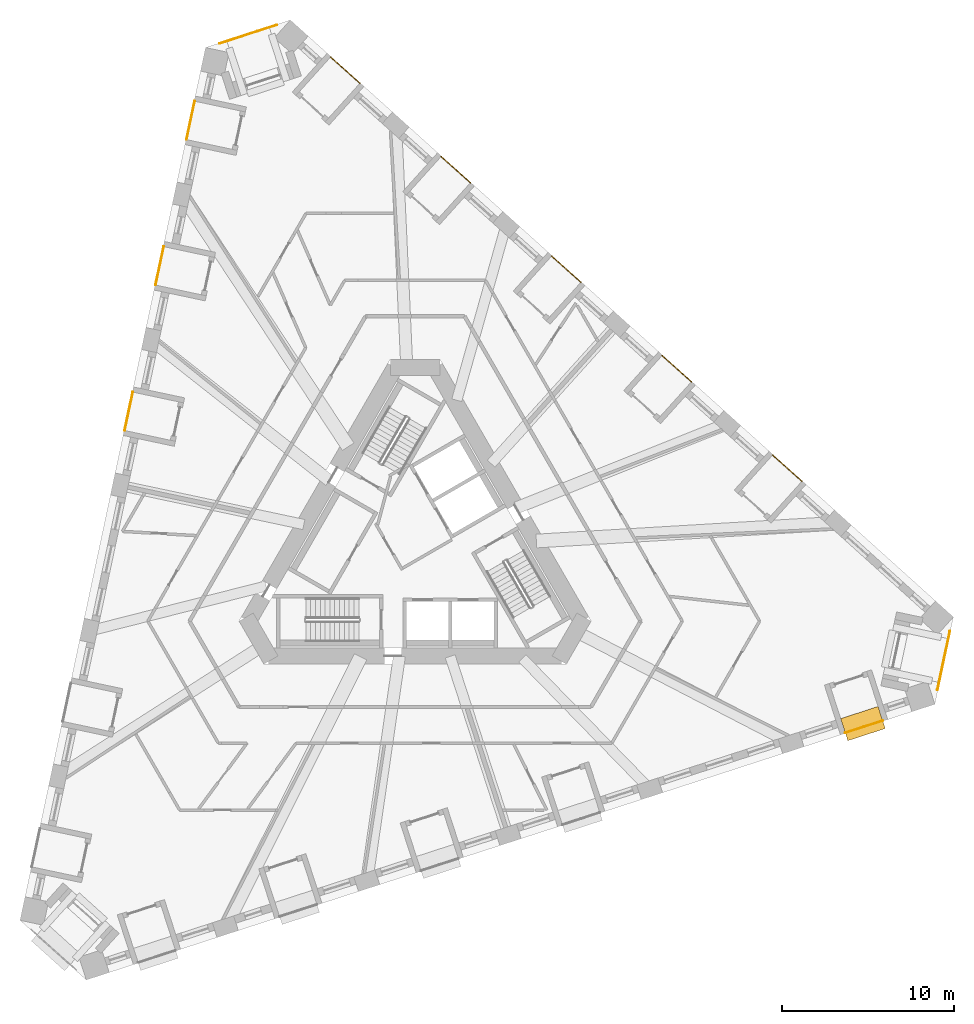
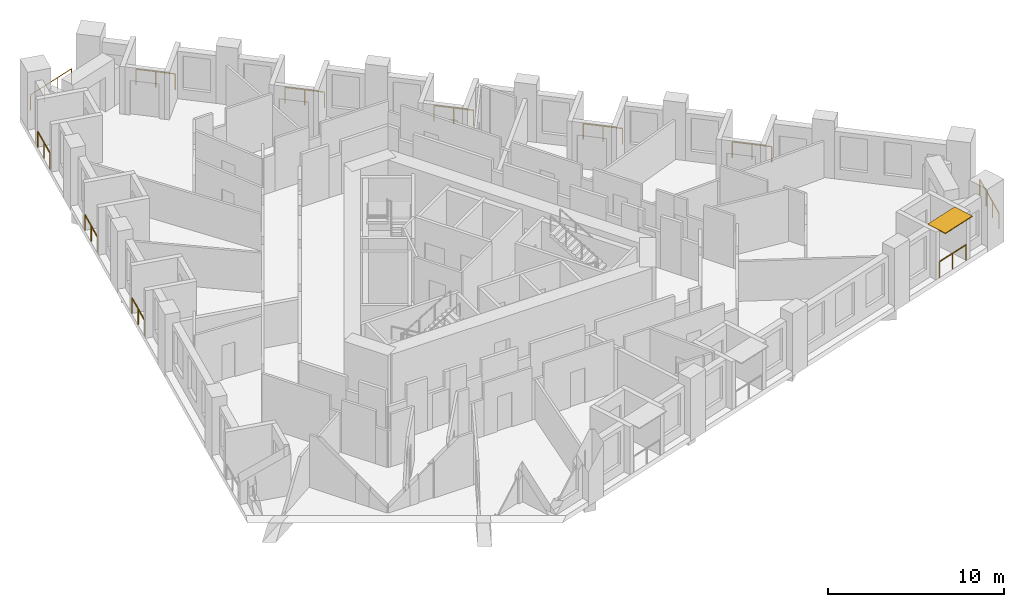
# One storey, part 12 of 12: 11 railings, 1 shading device.
"""IFC4 building model written with IfcOpenShell, lengths in metres."""

from ifc_helpers import new_model, si_unit, direction, frame, origin, origin_2d, place, context, subcontext, project, spatial, rectangle, circle, extrude, material, layer, layer_set, type_object, element, save


model = new_model("IFC4")

# Units and contexts
model_context = context("Model", 3, precision=1e-05, world=origin(), true_north=direction((0.0, 1.0)))
body_context = subcontext(model_context, "Body", "Model", "MODEL_VIEW")
ifc_project = project(units=[si_unit("LENGTHUNIT", "METRE"), si_unit("AREAUNIT", "SQUARE_METRE"), si_unit("VOLUMEUNIT", "CUBIC_METRE"), si_unit("PLANEANGLEUNIT", "RADIAN"), si_unit("MASSUNIT", "GRAM", prefix="KILO")], contexts=[model_context])

# Site, building, storey
site_placement = place(None, origin())
site = spatial("IfcSite", under=ifc_project, at=site_placement, CompositionType="ELEMENT")
building_placement = place(site_placement, origin())
building = spatial("IfcBuilding", under=site, at=building_placement, Name="Tramontana Tower", CompositionType="ELEMENT")
storey_placement = place(building_placement, frame((0.0, 0.0, 88.39990234375)))
storey = spatial("IfcBuildingStorey", under=building, at=storey_placement, Name="L19", CompositionType="ELEMENT", Elevation=88.39990234375)

# Railings
ifc_material_1 = material(Name="Laminated glass balustrade", Category="glass")
railing_type = type_object("IfcRailingType", Name="GD1 Loggia glass balustrade 1100", PredefinedType="BALUSTRADE", material=ifc_material_1)
railing_1_placement = place(storey_placement, frame((-12.838134765625, 26.031982421875, 0.0)))
element("IfcRailing", 1, at=railing_1_placement, inside=storey, type_object=railing_type, Name="Loggia balustrade L19 G2S0.1", PredefinedType="BALUSTRADE", context=body_context, shape_type="SweptSolid", body=[
    extrude(circle(Radius=0.02392578125, at=origin_2d()), frame((0.0, 0.0, 1.076171875), z_axis=(-0.207990282514, -0.978130892253, 0.0), x_axis=(0.978130892253, -0.207990282514, 0.0)), (0.0, 0.0, 1.0), 2.28662109375),
    extrude(circle(Radius=0.02099609375, at=origin_2d()), origin(), (0.0, 0.0, 1.0), 1.052001953125),
    extrude(circle(Radius=0.02099609375, at=origin_2d()), frame((-0.23779296875, -1.1181640625, 0.0)), (0.0, 0.0, 1.0), 1.052001953125),
    extrude(circle(Radius=0.02099609375, at=origin_2d()), frame((-0.4755859375, -2.236572265625, 0.0)), (0.0, 0.0, 1.0), 1.052001953125),
])
for number, where, name in (
    (2, (-14.638671875, 17.56103515625, 0.0), "Loggia balustrade L19 G2S0.4"),
    (3, (-16.439208984375, 9.090087890625, 0.0), "Loggia balustrade L19 G2S0.7"),
):
    element("IfcRailing", number, at=place(storey_placement, frame(where)), inside=storey, type_object=railing_type, Name=name, PredefinedType="BALUSTRADE", context=body_context, shape_type="SweptSolid", body=[
        extrude(circle(Radius=0.02392578125, at=origin_2d()), frame((0.0, 0.0, 1.076171875), z_axis=(-0.207968563016, -0.978135510447, 0.0), x_axis=(0.978135510447, -0.207968563016, 0.0)), (0.0, 0.0, 1.0), 2.286865234375),
        extrude(circle(Radius=0.02099609375, at=origin_2d()), origin(), (0.0, 0.0, 1.0), 1.052001953125),
        extrude(circle(Radius=0.02099609375, at=origin_2d()), frame((-0.23779296875, -1.118408203125, 0.0)), (0.0, 0.0, 1.0), 1.052001953125),
        extrude(circle(Radius=0.02099609375, at=origin_2d()), frame((-0.4755859375, -2.23681640625, 0.0)), (0.0, 0.0, 1.0), 1.052001953125),
    ])
railing_2_placement = place(storey_placement, frame((25.056640625, -10.75341796875, 0.0)))
element("IfcRailing", 4, at=railing_2_placement, inside=storey, type_object=railing_type, Name="Loggia balustrade L19 G2S1.16", PredefinedType="BALUSTRADE", context=body_context, shape_type="SweptSolid", body=[
    extrude(circle(Radius=0.02392578125, at=origin_2d()), frame((0.0, 0.0, 1.076171875), z_axis=(0.95103720697, 0.309076416051, 0.0), x_axis=(-0.309076416051, 0.95103720697, 0.0)), (0.0, 0.0, 1.0), 2.286865234375),
    extrude(circle(Radius=0.02099609375, at=origin_2d()), origin(), (0.0, 0.0, 1.0), 1.052001953125),
    extrude(circle(Radius=0.02099609375, at=origin_2d()), frame((1.08740234375, 0.353515625, 0.0)), (0.0, 0.0, 1.0), 1.052001953125),
    extrude(circle(Radius=0.02099609375, at=origin_2d()), frame((2.1748046875, 0.706787109375, 0.0)), (0.0, 0.0, 1.0), 1.052001953125),
])
for number, where, name in (
    (5, (22.527587890625, 3.89697265625, 0.0), "Loggia balustrade L19 G2S2.4"),
    (6, (16.091796875, 9.69189453125, 0.0), "Loggia balustrade L19 G2S2.7"),
):
    element("IfcRailing", number, at=place(storey_placement, frame(where)), inside=storey, type_object=railing_type, Name=name, PredefinedType="BALUSTRADE", context=body_context, shape_type="SweptSolid", body=[
        extrude(circle(Radius=0.02392578125, at=origin_2d()), frame((0.0, 0.0, 1.076171875), z_axis=(-0.743134851659, 0.66914168324, 0.0), x_axis=(-0.66914168324, -0.743134851659, 0.0)), (0.0, 0.0, 1.0), 2.28662109375),
        extrude(circle(Radius=0.02099609375, at=origin_2d()), origin(), (0.0, 0.0, 1.0), 1.052001953125),
        extrude(circle(Radius=0.02099609375, at=origin_2d()), frame((-0.849609375, 0.76513671875, 0.0)), (0.0, 0.0, 1.0), 1.052001953125),
        extrude(circle(Radius=0.02099609375, at=origin_2d()), frame((-1.69921875, 1.530029296875, 0.0)), (0.0, 0.0, 1.0), 1.052001953125),
    ])
railing_3_placement = place(storey_placement, frame((9.656005859375, 15.486572265625, 0.0)))
element("IfcRailing", 7, at=railing_3_placement, inside=storey, type_object=railing_type, Name="Loggia balustrade L19 G2S2.10", PredefinedType="BALUSTRADE", context=body_context, shape_type="SweptSolid", body=[
    extrude(circle(Radius=0.02392578125, at=origin_2d()), frame((0.0, 0.0, 1.076171875), z_axis=(-0.743081759278, 0.669200641832, 0.0), x_axis=(-0.669200641832, -0.743081759278, 0.0)), (0.0, 0.0, 1.0), 2.28662109375),
    extrude(circle(Radius=0.02099609375, at=origin_2d()), origin(), (0.0, 0.0, 1.0), 1.052001953125),
    extrude(circle(Radius=0.02099609375, at=origin_2d()), frame((-0.849609375, 0.76513671875, 0.0)), (0.0, 0.0, 1.0), 1.052001953125),
    extrude(circle(Radius=0.02099609375, at=origin_2d()), frame((-1.69921875, 1.5302734375, 0.0)), (0.0, 0.0, 1.0), 1.052001953125),
])
for number, where, name in (
    (8, (3.22021484375, 21.281494140625, 0.0), "Loggia balustrade L19 G2S2.13"),
    (9, (-3.215576171875, 27.076416015625, 0.0), "Loggia balustrade L19 G2S2.16"),
):
    element("IfcRailing", number, at=place(storey_placement, frame(where)), inside=storey, type_object=railing_type, Name=name, PredefinedType="BALUSTRADE", context=body_context, shape_type="SweptSolid", body=[
        extrude(circle(Radius=0.02392578125, at=origin_2d()), frame((0.0, 0.0, 1.076171875), z_axis=(-0.743182653308, 0.669088591909, 0.0), x_axis=(-0.669088591909, -0.743182653308, 0.0)), (0.0, 0.0, 1.0), 2.28662109375),
        extrude(circle(Radius=0.02099609375, at=origin_2d()), origin(), (0.0, 0.0, 1.0), 1.052001953125),
        extrude(circle(Radius=0.02099609375, at=origin_2d()), frame((-0.849609375, 0.76513671875, 0.0)), (0.0, 0.0, 1.0), 1.052001953125),
        extrude(circle(Radius=0.02099609375, at=origin_2d()), frame((-1.699462890625, 1.530029296875, 0.0)), (0.0, 0.0, 1.0), 1.052001953125),
    ])
railing_4_placement = place(storey_placement, frame((-11.38916015625, 29.388916015625, 0.0)))
element("IfcRailing", 10, at=railing_4_placement, inside=storey, type_object=railing_type, Name="Corner loggia balustrade L19 K20", PredefinedType="BALUSTRADE", context=body_context, shape_type="SweptSolid", body=[
    extrude(circle(Radius=0.02392578125, at=origin_2d()), frame((0.0, 0.0, 1.076171875), z_axis=(0.951062257173, 0.308999325213, 0.0), x_axis=(-0.308999325213, 0.951062257173, 0.0)), (0.0, 0.0, 1.0), 3.500244140625),
    extrude(circle(Radius=0.02099609375, at=origin_2d()), origin(), (0.0, 0.0, 1.0), 1.052001953125),
    extrude(circle(Radius=0.02099609375, at=origin_2d()), frame((1.109619140625, 0.360595703125, 0.0)), (0.0, 0.0, 1.0), 1.052001953125),
    extrude(circle(Radius=0.02099609375, at=origin_2d()), frame((2.21923828125, 0.720947265625, 0.0)), (0.0, 0.0, 1.0), 1.052001953125),
    extrude(circle(Radius=0.02099609375, at=origin_2d()), frame((3.328857421875, 1.08154296875, 0.0)), (0.0, 0.0, 1.0), 1.052001953125),
])
railing_5_placement = place(storey_placement, frame((31.146240234375, -4.831298828125, 0.0)))
element("IfcRailing", 11, at=railing_5_placement, inside=storey, type_object=railing_type, Name="Corner loggia balustrade L19 K22", PredefinedType="BALUSTRADE", context=body_context, shape_type="SweptSolid", body=[
    extrude(circle(Radius=0.02392578125, at=origin_2d()), frame((0.0, 0.0, 1.076171875), z_axis=(-0.207947190288, -0.978140054415, 0.0), x_axis=(0.978140054415, -0.207947190288, 0.0)), (0.0, 0.0, 1.0), 3.499755859375),
    extrude(circle(Radius=0.02099609375, at=origin_2d()), origin(), (0.0, 0.0, 1.0), 1.052001953125),
    extrude(circle(Radius=0.02099609375, at=origin_2d()), frame((-0.24267578125, -1.14111328125, 0.0)), (0.0, 0.0, 1.0), 1.052001953125),
    extrude(circle(Radius=0.02099609375, at=origin_2d()), frame((-0.485107421875, -2.2822265625, 0.0)), (0.0, 0.0, 1.0), 1.052001953125),
    extrude(circle(Radius=0.02099609375, at=origin_2d()), frame((-0.727783203125, -3.42333984375, 0.0)), (0.0, 0.0, 1.0), 1.052001953125),
])

# Shading device
ifc_material_2 = material(Name="Precast concrete 60 MPa", Category="concrete")
ifc_layer = layer(ifc_material_2, 0.06005859375)
ifc_layer_set = layer_set([ifc_layer], Name="SS1 Stone sunshade blade 60")
shading_device_type = type_object("IfcShadingDeviceType", Name="SS1 Stone sunshade blade 60", PredefinedType="USERDEFINED", material=ifc_layer_set)
shading_device_placement = place(storey_placement, frame((26.083740234375, -10.214599609375, 3.239990234375), z_axis=(0.0, 0.0, 1.0), x_axis=(0.951056516295, 0.309016994375, 0.0)))
element("IfcShadingDevice", 12, at=shading_device_placement, inside=storey, type_object=shading_device_type, Name="Sunshade L19 G2S1.16", ObjectType="SUNSHADE", PredefinedType="USERDEFINED", context=body_context, shape_type="SweptSolid", body=[
    extrude(rectangle(XDim=2.286865234375, YDim=1.35009765625, at=origin_2d()), origin(), (0.0, 0.0, 1.0), 0.06005859375),
])

save(model, "model.ifc")
